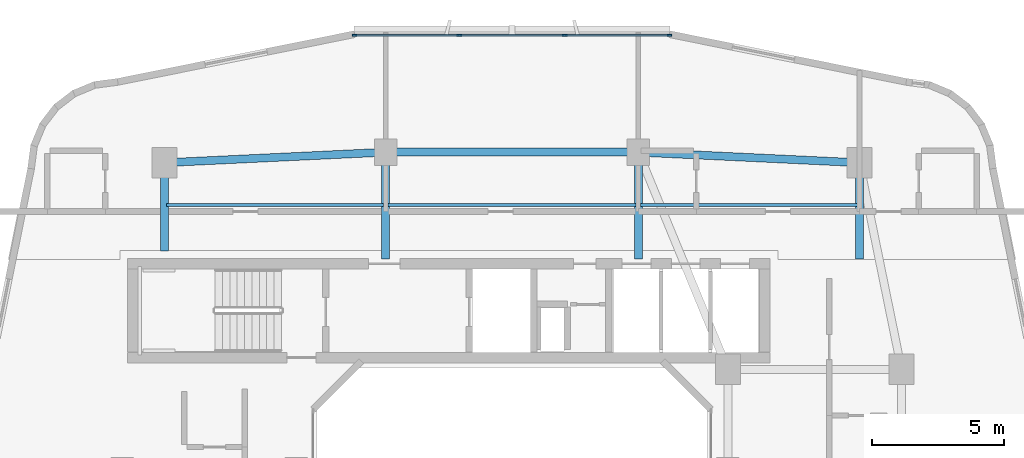
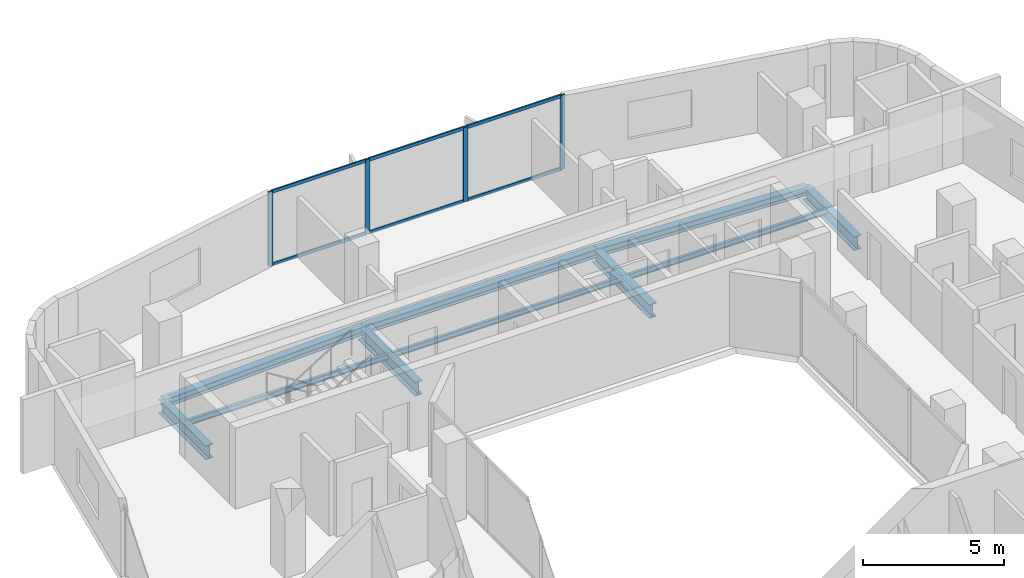
# One storey, part 7 of 26: 10 beams, 10 members, 1 element without a shape of its own.
"""IFC4 building model written with IfcOpenShell, lengths in metres."""

from ifc_helpers import new_model, si_unit, derived_unit, direction, frame, origin, origin_2d, place, context, subcontext, project, spatial, rectangle, i_section, extrude, material, layer, layer_set, material_profile, profile_set, type_object, element, aggregate, save


model = new_model("IFC4")

# Units and contexts
model_context = context("Model", 3, precision=1e-05, world=origin(), true_north=direction((0.0, 1.0)))
body_context = subcontext(model_context, "Body", "Model", "MODEL_VIEW")
ifc_project = project(units=[si_unit("LENGTHUNIT", "METRE"), si_unit("AREAUNIT", "SQUARE_METRE"), si_unit("VOLUMEUNIT", "CUBIC_METRE"), si_unit("PLANEANGLEUNIT", "RADIAN"), si_unit("MASSUNIT", "GRAM", prefix="KILO"), derived_unit("THERMALTRANSMITTANCEUNIT", [(si_unit("POWERUNIT", "WATT"), 1), (si_unit("LENGTHUNIT", "METRE"), -2), (si_unit("THERMODYNAMICTEMPERATUREUNIT", "KELVIN"), -1)])], contexts=[model_context])

# Site, building, storey
site_placement = place(None, origin())
site = spatial("IfcSite", under=ifc_project, at=site_placement, CompositionType="ELEMENT")
building_placement = place(site_placement, origin())
building = spatial("IfcBuilding", under=site, at=building_placement, Name="Kivonza Crest Hotel", CompositionType="ELEMENT")
storey_placement = place(building_placement, frame((0.0, 0.0, 102.0)))
storey = spatial("IfcBuildingStorey", under=building, at=storey_placement, Name="L27", CompositionType="ELEMENT", Elevation=102.0)

# Beams
ifc_material_1 = material(Name="Steel S355", Category="steel")
ifc_material_profile_1 = material_profile(ifc_material_1, i_section(OverallWidth=0.300048828125, OverallDepth=0.360107421875, WebThickness=0.012451171875, FlangeThickness=0.0224609375, FilletRadius=0.027099609375, at=origin_2d()), Name="HEB 360")
ifc_profile_set_1 = profile_set([ifc_material_profile_1], Name="Steel S355")
beam_type_1 = type_object("IfcBeamType", Name="BM-HEB360", PredefinedType="SPANDREL", material=ifc_profile_set_1)
beam_1_placement = place(storey_placement, frame((34.199951171875, 40.199951171875, -0.4599609375), z_axis=(-0.998867283688, 0.047583080799, 0.0), x_axis=(-0.047583080799, -0.998867283688, 0.0)))
element("IfcBeam", 1, at=beam_1_placement, inside=storey, type_object=beam_type_1, Name="Tower T1 L27 perimeter spandrel NE-N2", PredefinedType="SPANDREL", context=body_context, shape_type="SweptSolid", body=[
    extrude(i_section(OverallWidth=0.300048828125, OverallDepth=0.360107421875, WebThickness=0.012451171875, FlangeThickness=0.0224609375, FilletRadius=0.027099609375, at=origin_2d()), origin(), (0.0, 0.0, 1.0), 8.409423828125),
])
beam_2_placement = place(storey_placement, frame((25.800048828125, 40.60009765625, -0.4599609375), z_axis=(-1.0, 0.0, 0.0), x_axis=(0.0, -1.0, 0.0)))
element("IfcBeam", 2, at=beam_2_placement, inside=storey, type_object=beam_type_1, Name="Tower T1 L27 perimeter spandrel N2-N1", PredefinedType="SPANDREL", context=body_context, shape_type="SweptSolid", body=[
    extrude(i_section(OverallWidth=0.300048828125, OverallDepth=0.360107421875, WebThickness=0.012451171875, FlangeThickness=0.0224609375, FilletRadius=0.027099609375, at=origin_2d()), origin(), (0.0, 0.0, 1.0), 9.60009765625),
])
beam_3_placement = place(storey_placement, frame((16.199951171875, 40.60009765625, -0.4599609375), z_axis=(-0.998867283688, -0.047583080799, 0.0), x_axis=(0.047583080799, -0.998867283688, 0.0)))
element("IfcBeam", 3, at=beam_3_placement, inside=storey, type_object=beam_type_1, Name="Tower T1 L27 perimeter spandrel N1-NW", PredefinedType="SPANDREL", context=body_context, shape_type="SweptSolid", body=[
    extrude(i_section(OverallWidth=0.300048828125, OverallDepth=0.360107421875, WebThickness=0.012451171875, FlangeThickness=0.0224609375, FilletRadius=0.027099609375, at=origin_2d()), origin(), (0.0, 0.0, 1.0), 8.409423828125),
])
ifc_material_profile_2 = material_profile(ifc_material_1, i_section(OverallWidth=0.300048828125, OverallDepth=0.60009765625, WebThickness=0.015380859375, FlangeThickness=0.030029296875, FilletRadius=0.027099609375, at=origin_2d()), Name="HEB 600")
ifc_profile_set_2 = profile_set([ifc_material_profile_2], Name="Steel S355")
beam_type_2 = type_object("IfcBeamType", Name="BM-HEB600", PredefinedType="BEAM", material=ifc_profile_set_2)
beam_4_placement = place(storey_placement, frame((7.800048828125, 40.199951171875, -0.580078125), z_axis=(0.0, -1.0, 0.0), x_axis=(1.0, 0.0, 0.0)))
element("IfcBeam", 4, at=beam_4_placement, inside=storey, type_object=beam_type_2, Name="Tower T1 L27 radial core girder RNW", PredefinedType="BEAM", context=body_context, shape_type="SweptSolid", body=[
    extrude(i_section(OverallWidth=0.300048828125, OverallDepth=0.60009765625, WebThickness=0.015380859375, FlangeThickness=0.030029296875, FilletRadius=0.027099609375, at=origin_2d()), origin(), (0.0, 0.0, 1.0), 3.349853515625),
])
for number, where, z_axis, x_axis, name in (
    (5, (16.199951171875, 40.60009765625, -0.580078125), (0.0, -1.0, 0.0), (1.0, 0.0, 0.0), "Tower T1 L27 radial core girder RN1"),
    (6, (25.800048828125, 40.60009765625, -0.580078125), (0.0, -1.0, 0.0), (1.0, 0.0, 0.0), "Tower T1 L27 radial core girder RN2"),
):
    element("IfcBeam", number, at=place(storey_placement, frame(where, z_axis=z_axis, x_axis=x_axis)), inside=storey, type_object=beam_type_2, Name=name, PredefinedType="BEAM", context=body_context, shape_type="SweptSolid", body=[
        extrude(i_section(OverallWidth=0.300048828125, OverallDepth=0.60009765625, WebThickness=0.015380859375, FlangeThickness=0.030029296875, FilletRadius=0.027099609375, at=origin_2d()), origin(), (0.0, 0.0, 1.0), 4.050048828125),
    ])
beam_5_placement = place(storey_placement, frame((34.199951171875, 40.199951171875, -0.580078125), z_axis=(0.0, -1.0, 0.0), x_axis=(1.0, 0.0, 0.0)))
element("IfcBeam", 7, at=beam_5_placement, inside=storey, type_object=beam_type_2, Name="Tower T1 L27 radial core girder RNE", PredefinedType="BEAM", context=body_context, shape_type="SweptSolid", body=[
    extrude(i_section(OverallWidth=0.300048828125, OverallDepth=0.60009765625, WebThickness=0.015380859375, FlangeThickness=0.030029296875, FilletRadius=0.027099609375, at=origin_2d()), origin(), (0.0, 0.0, 1.0), 3.64990234375),
])
ifc_material_profile_3 = material_profile(ifc_material_1, i_section(OverallWidth=0.1201171875, OverallDepth=0.239990234375, WebThickness=0.006103515625, FlangeThickness=0.009765625, FilletRadius=0.014892578125, at=origin_2d()), Name="IPE 240")
ifc_profile_set_3 = profile_set([ifc_material_profile_3], Name="Steel S355")
beam_type_3 = type_object("IfcBeamType", Name="BM-IPE240", PredefinedType="JOIST", material=ifc_profile_set_3)
beam_6_placement = place(storey_placement, frame((7.8798828125, 38.60009765625, -0.39990234375), z_axis=(1.0, 0.0, 0.0), x_axis=(0.0, 1.0, 0.0)))
element("IfcBeam", 8, at=beam_6_placement, inside=storey, type_object=beam_type_3, Name="Tower T1 L27 North-West floor joist", PredefinedType="JOIST", context=body_context, shape_type="SweptSolid", body=[
    extrude(i_section(OverallWidth=0.1201171875, OverallDepth=0.239990234375, WebThickness=0.006103515625, FlangeThickness=0.009765625, FilletRadius=0.014892578125, at=origin_2d()), origin(), (0.0, 0.0, 1.0), 8.240234375),
])
beam_7_placement = place(storey_placement, frame((16.280029296875, 38.60009765625, -0.39990234375), z_axis=(1.0, 0.0, 0.0), x_axis=(0.0, 1.0, 0.0)))
element("IfcBeam", 9, at=beam_7_placement, inside=storey, type_object=beam_type_3, Name="Tower T1 L27 North-Mid floor joist", PredefinedType="JOIST", context=body_context, shape_type="SweptSolid", body=[
    extrude(i_section(OverallWidth=0.1201171875, OverallDepth=0.239990234375, WebThickness=0.006103515625, FlangeThickness=0.009765625, FilletRadius=0.014892578125, at=origin_2d()), origin(), (0.0, 0.0, 1.0), 9.43994140625),
])
beam_8_placement = place(storey_placement, frame((25.8798828125, 38.60009765625, -0.39990234375), z_axis=(1.0, 0.0, 0.0), x_axis=(0.0, 1.0, 0.0)))
element("IfcBeam", 10, at=beam_8_placement, inside=storey, type_object=beam_type_3, Name="Tower T1 L27 North-East floor joist", PredefinedType="JOIST", context=body_context, shape_type="SweptSolid", body=[
    extrude(i_section(OverallWidth=0.1201171875, OverallDepth=0.239990234375, WebThickness=0.006103515625, FlangeThickness=0.009765625, FilletRadius=0.014892578125, at=origin_2d()), origin(), (0.0, 0.0, 1.0), 8.240234375),
])

# Curtain wall, members
ifc_material_2 = material(Name="Anodised bronze aluminium and low-E double glazing", Category="aluminium")
ifc_layer = layer(ifc_material_2, 0.179931640625)
ifc_layer_set = layer_set([ifc_layer], Name="Anodised bronze aluminium and low-E double glazing")
curtain_wall_type = type_object("IfcCurtainWallType", Name="CW-SYS-2", PredefinedType="NOTDEFINED", material=ifc_layer_set)
curtain_wall_placement = place(storey_placement, origin())
curtain_wall = element("IfcCurtainWall", 11, at=curtain_wall_placement, inside=storey, type_object=curtain_wall_type, Name="L27 unitised curtain wall CW-T1-L27-26", PredefinedType="NOTDEFINED")
ifc_material_3 = material(Name="Anodised bronze aluminium", Category="aluminium")
ifc_material_profile_4 = material_profile(ifc_material_3, rectangle(XDim=0.06494140625, YDim=0.179931640625, at=origin_2d()), Name="CW-M 65x180")
ifc_profile_set_4 = profile_set([ifc_material_profile_4], Name="Anodised bronze aluminium")
member_type_1 = type_object("IfcMemberType", Name="CW-MUL-65x180", PredefinedType="MULLION", material=ifc_profile_set_4)
member_1_placement = place(storey_placement, frame((26.987548828125, 45.0400390625, 0.0), z_axis=(0.0, 0.0, 1.0), x_axis=(0.0, -1.0, 0.0)))
member_1 = element("IfcMember", 12, at=member_1_placement, type_object=member_type_1, Name="CW-2 mullion 1", PredefinedType="MULLION", context=body_context, shape_type="SweptSolid", body=[
    extrude(rectangle(XDim=0.06494140625, YDim=0.179931640625, at=origin_2d()), origin(), (0.0, 0.0, 1.0), 3.219970703125),
])
member_2_placement = place(storey_placement, frame((23.006591796875, 45.0400390625, 0.0), z_axis=(0.0, 0.0, 1.0), x_axis=(0.0, -1.0, 0.0)))
member_2 = element("IfcMember", 13, at=member_2_placement, type_object=member_type_1, Name="CW-2 mullion 2", PredefinedType="MULLION", context=body_context, shape_type="SweptSolid", body=[
    extrude(rectangle(XDim=0.06494140625, YDim=0.179931640625, at=origin_2d()), origin(), (0.0, 0.0, 1.0), 3.219970703125),
])
member_3_placement = place(storey_placement, frame((18.993408203125, 45.0400390625, 0.0), z_axis=(0.0, 0.0, 1.0), x_axis=(0.0, -1.0, 0.0)))
member_3 = element("IfcMember", 14, at=member_3_placement, type_object=member_type_1, Name="CW-2 mullion 3", PredefinedType="MULLION", context=body_context, shape_type="SweptSolid", body=[
    extrude(rectangle(XDim=0.06494140625, YDim=0.179931640625, at=origin_2d()), origin(), (0.0, 0.0, 1.0), 3.219970703125),
])
member_4_placement = place(storey_placement, frame((15.012451171875, 45.0400390625, 0.0), z_axis=(0.0, 0.0, 1.0), x_axis=(0.0, -1.0, 0.0)))
member_4 = element("IfcMember", 15, at=member_4_placement, type_object=member_type_1, Name="CW-2 mullion 4", PredefinedType="MULLION", context=body_context, shape_type="SweptSolid", body=[
    extrude(rectangle(XDim=0.06494140625, YDim=0.179931640625, at=origin_2d()), origin(), (0.0, 0.0, 1.0), 3.219970703125),
])
ifc_material_profile_5 = material_profile(ifc_material_3, rectangle(XDim=0.06494140625, YDim=0.139892578125, at=origin_2d()), Name="CW-T 65x140")
ifc_profile_set_5 = profile_set([ifc_material_profile_5], Name="Anodised bronze aluminium")
member_type_2 = type_object("IfcMemberType", Name="CW-TRN-65x140", PredefinedType="USERDEFINED", material=ifc_profile_set_5)
member_5_placement = place(storey_placement, frame((26.955078125, 45.0400390625, 0.032470703125), z_axis=(-1.0, 0.0, 0.0), x_axis=(0.0, -1.0, 0.0)))
member_5 = element("IfcMember", 16, at=member_5_placement, type_object=member_type_2, Name="CW-2 transom 1.1", ObjectType="TRANSOM", PredefinedType="USERDEFINED", context=body_context, shape_type="SweptSolid", body=[
    extrude(rectangle(XDim=0.06494140625, YDim=0.139892578125, at=origin_2d()), origin(), (0.0, 0.0, 1.0), 3.916015625),
])
member_6_placement = place(storey_placement, frame((26.955078125, 45.0400390625, 3.1875), z_axis=(-1.0, 0.0, 0.0), x_axis=(0.0, -1.0, 0.0)))
member_6 = element("IfcMember", 17, at=member_6_placement, type_object=member_type_2, Name="CW-2 transom 1.2", ObjectType="TRANSOM", PredefinedType="USERDEFINED", context=body_context, shape_type="SweptSolid", body=[
    extrude(rectangle(XDim=0.06494140625, YDim=0.139892578125, at=origin_2d()), origin(), (0.0, 0.0, 1.0), 3.916015625),
])
member_7_placement = place(storey_placement, frame((22.97412109375, 45.0400390625, 0.032470703125), z_axis=(-1.0, 0.0, 0.0), x_axis=(0.0, -1.0, 0.0)))
member_7 = element("IfcMember", 18, at=member_7_placement, type_object=member_type_2, Name="CW-2 transom 2.1", ObjectType="TRANSOM", PredefinedType="USERDEFINED", context=body_context, shape_type="SweptSolid", body=[
    extrude(rectangle(XDim=0.06494140625, YDim=0.139892578125, at=origin_2d()), origin(), (0.0, 0.0, 1.0), 3.9482421875),
])
member_8_placement = place(storey_placement, frame((22.97412109375, 45.0400390625, 3.1875), z_axis=(-1.0, 0.0, 0.0), x_axis=(0.0, -1.0, 0.0)))
member_8 = element("IfcMember", 19, at=member_8_placement, type_object=member_type_2, Name="CW-2 transom 2.2", ObjectType="TRANSOM", PredefinedType="USERDEFINED", context=body_context, shape_type="SweptSolid", body=[
    extrude(rectangle(XDim=0.06494140625, YDim=0.139892578125, at=origin_2d()), origin(), (0.0, 0.0, 1.0), 3.9482421875),
])
member_9_placement = place(storey_placement, frame((18.9609375, 45.0400390625, 0.032470703125), z_axis=(-1.0, 0.0, 0.0), x_axis=(0.0, -1.0, 0.0)))
member_9 = element("IfcMember", 20, at=member_9_placement, type_object=member_type_2, Name="CW-2 transom 3.1", ObjectType="TRANSOM", PredefinedType="USERDEFINED", context=body_context, shape_type="SweptSolid", body=[
    extrude(rectangle(XDim=0.06494140625, YDim=0.139892578125, at=origin_2d()), origin(), (0.0, 0.0, 1.0), 3.916015625),
])
member_10_placement = place(storey_placement, frame((18.9609375, 45.0400390625, 3.1875), z_axis=(-1.0, 0.0, 0.0), x_axis=(0.0, -1.0, 0.0)))
member_10 = element("IfcMember", 21, at=member_10_placement, type_object=member_type_2, Name="CW-2 transom 3.2", ObjectType="TRANSOM", PredefinedType="USERDEFINED", context=body_context, shape_type="SweptSolid", body=[
    extrude(rectangle(XDim=0.06494140625, YDim=0.139892578125, at=origin_2d()), origin(), (0.0, 0.0, 1.0), 3.916015625),
])
aggregate(curtain_wall, [member_1, member_2, member_3, member_4, member_5, member_6, member_7, member_8, member_9, member_10])

save(model, "model.ifc")
